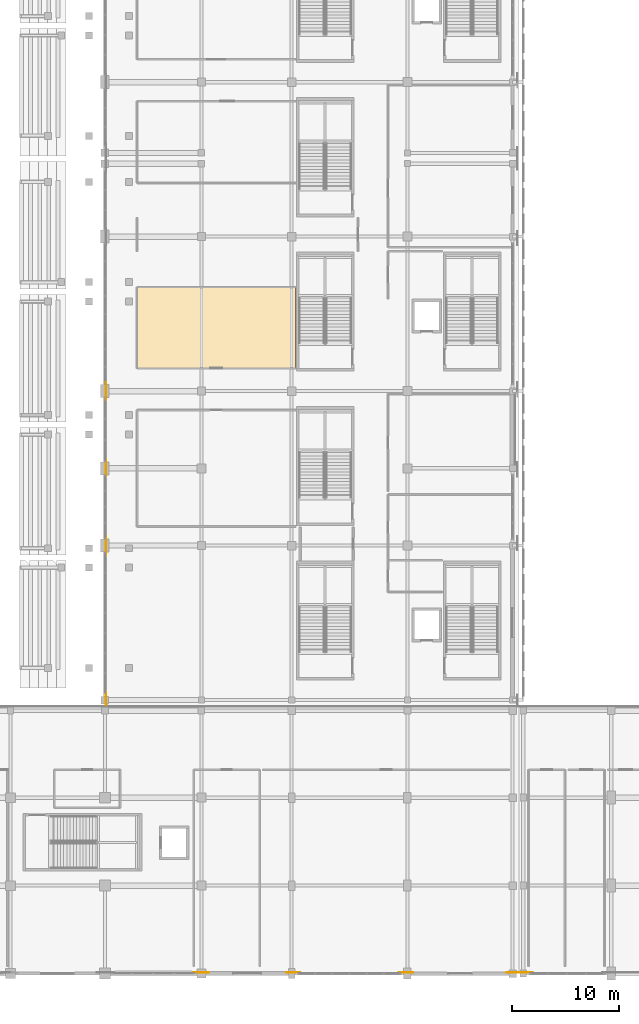
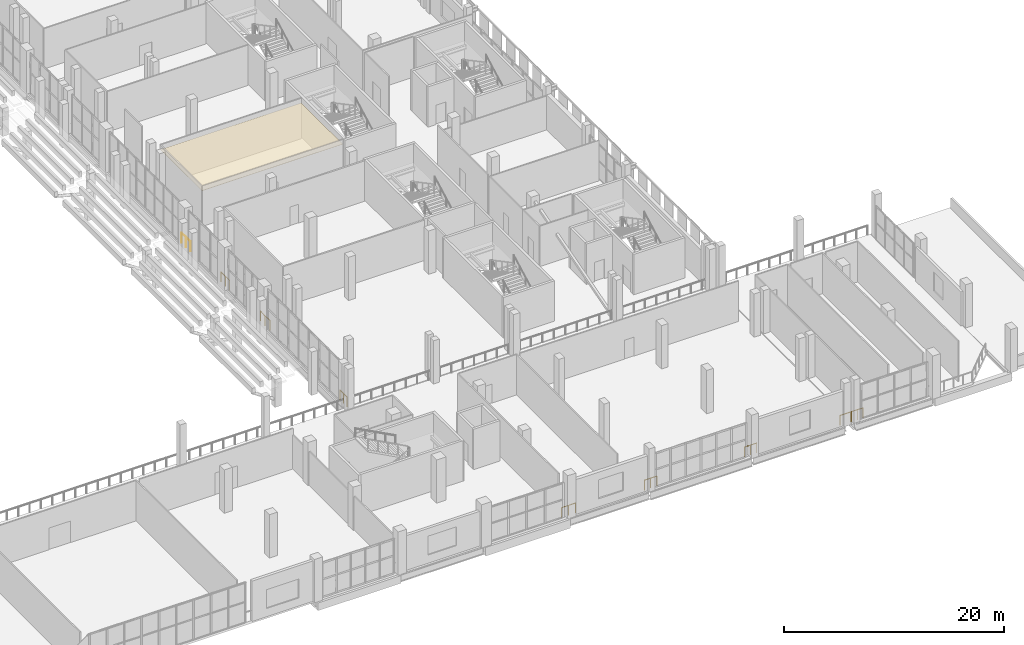
# One storey, part 129 of 142: 10 railings, 1 covering.
"""IFC4 building model written with IfcOpenShell, lengths in metres."""

from ifc_helpers import new_model, si_unit, direction, frame, origin, origin_2d, place, context, subcontext, project, spatial, polyline, circle, outline, extrude, material, layer, layer_set, type_object, element, save


model = new_model("IFC4")

# Units and contexts
model_context = context("Model", 3, precision=1e-05, world=origin(), true_north=direction((0.0, 1.0)))
body_context = subcontext(model_context, "Body", "Model", "MODEL_VIEW")
ifc_project = project(units=[si_unit("LENGTHUNIT", "METRE"), si_unit("AREAUNIT", "SQUARE_METRE"), si_unit("VOLUMEUNIT", "CUBIC_METRE"), si_unit("PLANEANGLEUNIT", "RADIAN"), si_unit("MASSUNIT", "GRAM", prefix="KILO")], contexts=[model_context])

# Site, building, storey
site_placement = place(None, origin())
site = spatial("IfcSite", under=ifc_project, at=site_placement, CompositionType="ELEMENT")
building_placement = place(site_placement, origin())
building = spatial("IfcBuilding", under=site, at=building_placement, Name="Koshinbarg Plaza Stadium", CompositionType="ELEMENT")
storey_placement = place(building_placement, frame((0.0, 0.0, 10.199951171875)))
storey = spatial("IfcBuildingStorey", under=building, at=storey_placement, Name="L02", CompositionType="ELEMENT", Elevation=10.199951171875)

# Covering
ifc_material_1 = material(Name="Perforated gypsum acoustic ceiling board")
ifc_layer = layer(ifc_material_1, 0.030029296875)
ifc_layer_set = layer_set([ifc_layer], Name="Perforated gypsum acoustic ceiling board")
covering_type = type_object("IfcCoveringType", Name="COV-CEIL-01", PredefinedType="CEILING", material=ifc_layer_set)
covering_placement = place(storey_placement, frame((0.0, 0.0, 3.89013671875)))
element("IfcCovering", 1, at=covering_placement, inside=storey, type_object=covering_type, Name="L02 Supporters' Banquet Lounge acoustic ceiling 025", PredefinedType="CEILING", context=body_context, shape_type="SweptSolid", body=[
    extrude(outline(polyline([(183.39990234375, 56.429931640625), (198.169921875, 56.429931640625), (198.169921875, 63.98046875), (183.39990234375, 63.98046875), (183.39990234375, 56.429931640625)])), origin(), (0.0, 0.0, 1.0), 0.030029296875),
])

# Railings
ifc_material_2 = material(Name="Toughened laminated glass and stainless steel sightline balustrade", Category="steel")
railing_type = type_object("IfcRailingType", Name="RL-BOWL-1100", PredefinedType="BALUSTRADE", material=ifc_material_2)
railing_1_placement = place(storey_placement, frame((180.47998046875, 25.044921875, 0.0)))
element("IfcRailing", 2, at=railing_1_placement, inside=storey, type_object=railing_type, Name="L02 deck edge safety balustrade 0128", PredefinedType="BALUSTRADE", context=body_context, shape_type="SweptSolid", body=[
    extrude(circle(Radius=0.02392578125, at=origin_2d()), frame((0.0, 0.0, 1.076171875), z_axis=(0.0, 1.0, 0.0), x_axis=(-1.0, 0.0, 0.0)), (0.0, 0.0, 1.0), 1.244873046875),
    extrude(circle(Radius=0.02099609375, at=origin_2d()), origin(), (0.0, 0.0, 1.0), 1.052001953125),
    extrude(circle(Radius=0.02099609375, at=origin_2d()), frame((0.0, 0.62255859375, 0.0)), (0.0, 0.0, 1.0), 1.052001953125),
    extrude(circle(Radius=0.02099609375, at=origin_2d()), frame((0.0, 1.244873046875, 0.0)), (0.0, 0.0, 1.0), 1.052001953125),
])
railing_2_placement = place(storey_placement, frame((180.47998046875, 39.024658203125, 0.0)))
element("IfcRailing", 3, at=railing_2_placement, inside=storey, type_object=railing_type, Name="L02 deck edge safety balustrade 0129", PredefinedType="BALUSTRADE", context=body_context, shape_type="SweptSolid", body=[
    extrude(circle(Radius=0.02392578125, at=origin_2d()), frame((0.0, 0.0, 1.076171875), z_axis=(0.0, 1.0, 0.0), x_axis=(-1.0, 0.0, 0.0)), (0.0, 0.0, 1.0), 1.743408203125),
    extrude(circle(Radius=0.02099609375, at=origin_2d()), origin(), (0.0, 0.0, 1.0), 1.052001953125),
    extrude(circle(Radius=0.02099609375, at=origin_2d()), frame((0.0, 0.87158203125, 0.0)), (0.0, 0.0, 1.0), 1.052001953125),
    extrude(circle(Radius=0.02099609375, at=origin_2d()), frame((0.0, 1.743408203125, 0.0)), (0.0, 0.0, 1.0), 1.052001953125),
])
railing_3_placement = place(storey_placement, frame((180.47998046875, 46.33837890625, 0.0)))
element("IfcRailing", 4, at=railing_3_placement, inside=storey, type_object=railing_type, Name="L02 deck edge safety balustrade 0130", PredefinedType="BALUSTRADE", context=body_context, shape_type="SweptSolid", body=[
    extrude(circle(Radius=0.02392578125, at=origin_2d()), frame((0.0, 0.0, 1.076171875), z_axis=(0.0, 1.0, 0.0), x_axis=(-1.0, 0.0, 0.0)), (0.0, 0.0, 1.0), 1.59423828125),
    extrude(circle(Radius=0.02099609375, at=origin_2d()), origin(), (0.0, 0.0, 1.0), 1.052001953125),
    extrude(circle(Radius=0.02099609375, at=origin_2d()), frame((0.0, 0.797119140625, 0.0)), (0.0, 0.0, 1.0), 1.052001953125),
    extrude(circle(Radius=0.02099609375, at=origin_2d()), frame((0.0, 1.59423828125, 0.0)), (0.0, 0.0, 1.0), 1.052001953125),
])
railing_4_placement = place(storey_placement, frame((180.47998046875, 53.5029296875, 0.0)))
element("IfcRailing", 5, at=railing_4_placement, inside=storey, type_object=railing_type, Name="L02 deck edge safety balustrade 0131", PredefinedType="BALUSTRADE", context=body_context, shape_type="SweptSolid", body=[
    extrude(circle(Radius=0.02392578125, at=origin_2d()), frame((0.0, 0.0, 1.076171875), z_axis=(0.0, 1.0, 0.0), x_axis=(-1.0, 0.0, 0.0)), (0.0, 0.0, 1.0), 0.797119140625),
    extrude(circle(Radius=0.02099609375, at=origin_2d()), origin(), (0.0, 0.0, 1.0), 1.052001953125),
    extrude(circle(Radius=0.02099609375, at=origin_2d()), frame((0.0, 0.797119140625, 0.0)), (0.0, 0.0, 1.0), 1.052001953125),
])
railing_5_placement = place(storey_placement, frame((180.47998046875, 54.300048828125, 0.0)))
element("IfcRailing", 6, at=railing_5_placement, inside=storey, type_object=railing_type, Name="L02 deck edge safety balustrade 0136", PredefinedType="BALUSTRADE", context=body_context, shape_type="SweptSolid", body=[
    extrude(circle(Radius=0.02392578125, at=origin_2d()), frame((0.0, 0.0, 1.076171875), z_axis=(0.0, 1.0, 0.0), x_axis=(-1.0, 0.0, 0.0)), (0.0, 0.0, 1.0), 0.800048828125),
    extrude(circle(Radius=0.02099609375, at=origin_2d()), origin(), (0.0, 0.0, 1.0), 1.052001953125),
    extrude(circle(Radius=0.02099609375, at=origin_2d()), frame((0.0, 0.800048828125, 0.0)), (0.0, 0.0, 1.0), 1.052001953125),
])
railing_6_placement = place(storey_placement, frame((218.955078125, 0.080078125, 0.0)))
element("IfcRailing", 7, at=railing_6_placement, inside=storey, type_object=railing_type, Name="L02 deck edge safety balustrade 0192", PredefinedType="BALUSTRADE", context=body_context, shape_type="SweptSolid", body=[
    extrude(circle(Radius=0.02392578125, at=origin_2d()), frame((0.0, 0.0, 1.076171875), z_axis=(-1.0, 0.0, 0.0), x_axis=(0.0, -1.0, 0.0)), (0.0, 0.0, 1.0), 1.09912109375),
    extrude(circle(Radius=0.02099609375, at=origin_2d()), origin(), (0.0, 0.0, 1.0), 1.052001953125),
    extrude(circle(Radius=0.02099609375, at=origin_2d()), frame((-1.09912109375, 0.0, 0.0)), (0.0, 0.0, 1.0), 1.052001953125),
])
for number, where, name in (
    (8, (209.114501953125, 0.080078125, 0.0), "L02 deck edge safety balustrade 0193"),
    (9, (198.62451171875, 0.080078125, 0.0), "L02 deck edge safety balustrade 0194"),
):
    element("IfcRailing", number, at=place(storey_placement, frame(where)), inside=storey, type_object=railing_type, Name=name, PredefinedType="BALUSTRADE", context=body_context, shape_type="SweptSolid", body=[
        extrude(circle(Radius=0.02392578125, at=origin_2d()), frame((0.0, 0.0, 1.076171875), z_axis=(-1.0, 0.0, 0.0), x_axis=(0.0, -1.0, 0.0)), (0.0, 0.0, 1.0), 1.299072265625),
        extrude(circle(Radius=0.02099609375, at=origin_2d()), origin(), (0.0, 0.0, 1.0), 1.052001953125),
        extrude(circle(Radius=0.02099609375, at=origin_2d()), frame((-0.6494140625, 0.0, 0.0)), (0.0, 0.0, 1.0), 1.052001953125),
        extrude(circle(Radius=0.02099609375, at=origin_2d()), frame((-1.299072265625, 0.0, 0.0)), (0.0, 0.0, 1.0), 1.052001953125),
    ])
railing_7_placement = place(storey_placement, frame((190.08251953125, 0.080078125, 0.0)))
element("IfcRailing", 10, at=railing_7_placement, inside=storey, type_object=railing_type, Name="L02 deck edge safety balustrade 0195", PredefinedType="BALUSTRADE", context=body_context, shape_type="SweptSolid", body=[
    extrude(circle(Radius=0.02392578125, at=origin_2d()), frame((0.0, 0.0, 1.076171875), z_axis=(-1.0, 0.0, 0.0), x_axis=(0.0, -1.0, 0.0)), (0.0, 0.0, 1.0), 1.448974609375),
    extrude(circle(Radius=0.02099609375, at=origin_2d()), origin(), (0.0, 0.0, 1.0), 1.052001953125),
    extrude(circle(Radius=0.02099609375, at=origin_2d()), frame((-0.724609375, 0.0, 0.0)), (0.0, 0.0, 1.0), 1.052001953125),
    extrude(circle(Radius=0.02099609375, at=origin_2d()), frame((-1.448974609375, 0.0, 0.0)), (0.0, 0.0, 1.0), 1.052001953125),
])
railing_8_placement = place(storey_placement, frame((220.293701171875, 0.080078125, 0.0)))
element("IfcRailing", 11, at=railing_8_placement, inside=storey, type_object=railing_type, Name="L02 deck edge safety balustrade 0201", PredefinedType="BALUSTRADE", context=body_context, shape_type="SweptSolid", body=[
    extrude(circle(Radius=0.02392578125, at=origin_2d()), frame((0.0, 0.0, 1.076171875), z_axis=(-1.0, 0.0, 0.0), x_axis=(0.0, -1.0, 0.0)), (0.0, 0.0, 1.0), 1.248779296875),
    extrude(circle(Radius=0.02099609375, at=origin_2d()), origin(), (0.0, 0.0, 1.0), 1.052001953125),
    extrude(circle(Radius=0.02099609375, at=origin_2d()), frame((-0.62451171875, 0.0, 0.0)), (0.0, 0.0, 1.0), 1.052001953125),
    extrude(circle(Radius=0.02099609375, at=origin_2d()), frame((-1.248779296875, 0.0, 0.0)), (0.0, 0.0, 1.0), 1.052001953125),
])

save(model, "model.ifc")
